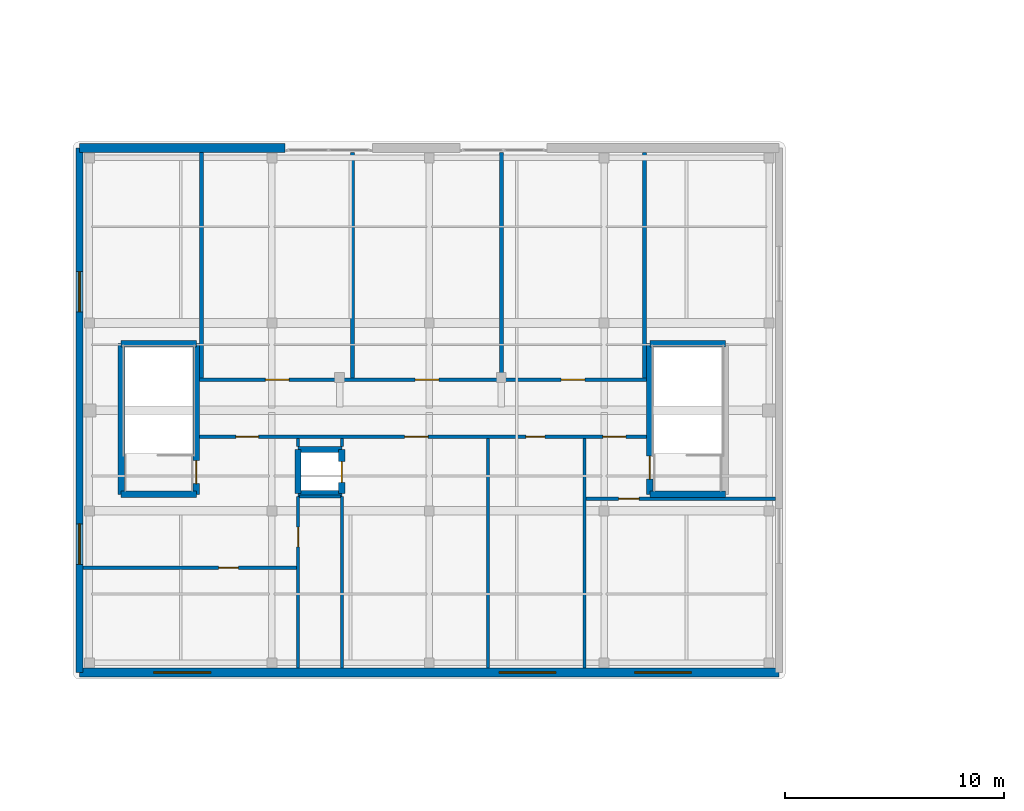
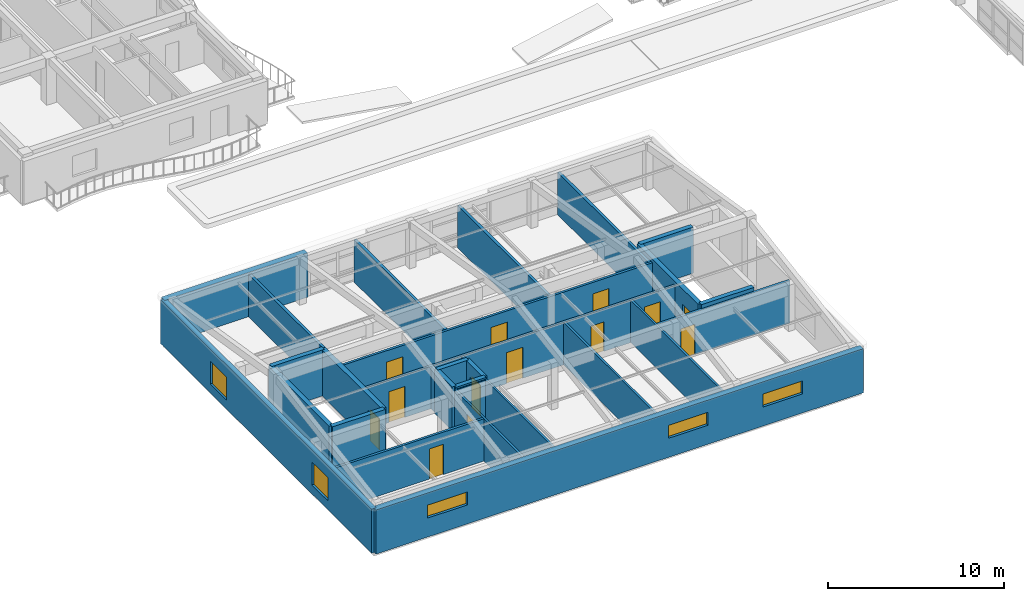
# One storey, part 80 of 128: 29 walls, 13 doors, 5 windows, 18 openings.
"""IFC4 building model written with IfcOpenShell, lengths in metres."""

import ifcopenshell
import ifcopenshell.guid

model = None  # the IFC model being written
_history = None  # IfcOwnerHistory: only IFC2X3 demands one
_inside = {}  # id of a spatial element -> (the spatial element, [elements in it])
_under = {}  # id of a project, library or spatial element -> (it, [spatial elements below it])
_declared = {}  # id of a project -> (the project, [libraries it declares])
_typed = {}  # id of a type object -> (the type object, [elements of that type])
_made_of = {}  # id of a material, layer set ... -> (it, [elements and type objects made of it])


def new_model(schema):
    """Start an empty IFC model of exactly this schema.

    Asked for "IFC4X3", IfcOpenShell would pick the latest addendum, in which some entities
    have other attributes; the version numbers below select the first issue.
    IFC2X3 requires an IfcOwnerHistory on every rooted entity: one is made here for all.
    """
    global model, _history
    if schema == "IFC4X3":
        model = ifcopenshell.file(schema_version=(4, 3, 0, 0))
    else:
        model = ifcopenshell.file(schema=schema)
    _inside.clear()
    _under.clear()
    _declared.clear()
    _typed.clear()
    _made_of.clear()
    _history = None
    if model.schema == "IFC2X3":
        org = make("IfcOrganization", Name="unknown")
        user = make(
            "IfcPersonAndOrganization",
            ThePerson=make("IfcPerson", FamilyName="unknown"),
            TheOrganization=org,
        )
        app = make(
            "IfcApplication",
            ApplicationDeveloper=org,
            Version="unknown",
            ApplicationFullName="unknown",
            ApplicationIdentifier="unknown",
        )
        _history = make(
            "IfcOwnerHistory",
            OwningUser=user,
            OwningApplication=app,
            ChangeAction="ADDED",
            CreationDate=0,
        )
    return model


def make(cls, **values):
    """One entity of the class cls with the attributes given. An attribute that is None is left unset."""
    return model.create_entity(
        cls, **{name: value for name, value in values.items() if value is not None}
    )


def rooted(cls, **values):
    """An entity with a GlobalId (a new one), such as an element, a storey or a relation."""
    return make(cls, GlobalId=ifcopenshell.guid.new(), OwnerHistory=_history, **values)


def si_unit(unit_type, name, prefix=None):
    """IfcSIUnit, for example si_unit("LENGTHUNIT", "METRE", prefix="MILLI")."""
    return make("IfcSIUnit", UnitType=unit_type, Prefix=prefix, Name=name)


def assignment(units):
    """IfcUnitAssignment: the units of a project."""
    return None if units is None else make("IfcUnitAssignment", Units=units)


def point(xyz):
    """IfcCartesianPoint."""
    return None if xyz is None else make("IfcCartesianPoint", Coordinates=xyz)


def direction(xyz):
    """IfcDirection."""
    return None if xyz is None else make("IfcDirection", DirectionRatios=xyz)


def frame(location, z_axis=None, x_axis=None):
    """IfcAxis2Placement3D, a coordinate frame: its origin and axes. An axis left out is left unset."""
    return make(
        "IfcAxis2Placement3D",
        Location=point(location),
        Axis=direction(z_axis),
        RefDirection=direction(x_axis),
    )


def frame_2d(location, x_axis=None):
    """IfcAxis2Placement2D, a coordinate frame in the plane: its origin and x axis."""
    return make(
        "IfcAxis2Placement2D", Location=point(location), RefDirection=direction(x_axis)
    )


def origin():
    """The frame at (0, 0, 0) with its axes left unset."""
    return frame((0.0, 0.0, 0.0))


def place(relative_to, where):
    """IfcLocalPlacement: puts the frame where relative to a parent placement (None: the world)."""
    return make(
        "IfcLocalPlacement", PlacementRelTo=relative_to, RelativePlacement=where
    )


def context(
    kind, dimensions, precision=None, world=None, true_north=None, identifier=None
):
    """IfcGeometricRepresentationContext, for example the 3D "Model" context."""
    return make(
        "IfcGeometricRepresentationContext",
        ContextIdentifier=identifier,
        ContextType=kind,
        CoordinateSpaceDimension=dimensions,
        Precision=precision,
        WorldCoordinateSystem=world,
        TrueNorth=true_north,
    )


def subcontext(parent, identifier, kind, view, scale=None):
    """IfcGeometricRepresentationSubContext, for example "Body" below "Model"."""
    return make(
        "IfcGeometricRepresentationSubContext",
        ContextIdentifier=identifier,
        ContextType=kind,
        ParentContext=parent,
        TargetScale=scale,
        TargetView=view,
    )


def project(units=None, contexts=None):
    """IfcProject with its units and contexts."""
    return rooted(
        "IfcProject",
        Name="project",
        RepresentationContexts=contexts,
        UnitsInContext=assignment(units),
    )


def spatial(cls, under=None, at=None, **own):
    """A site, building, storey or space (cls), placed at a placement, below another one or the project."""
    s = rooted(cls, ObjectPlacement=at, **own)
    if under is not None:
        _under.setdefault(under.id(), (under, []))[1].append(s)
    return s


def profile(cls, at=None, kind="AREA", **sizes):
    """A parametric profile (cls). Its sizes go by their IFC names, for example OverallWidth=200.0."""
    return make(cls, ProfileType=kind, Position=at, **sizes)


def rectangle(**sizes):
    """IfcRectangleProfileDef."""
    return profile("IfcRectangleProfileDef", **sizes)


def extrude(swept, where, along, depth):
    """IfcExtrudedAreaSolid: the profile swept, set in the frame where, extruded along a direction by depth."""
    return make(
        "IfcExtrudedAreaSolid",
        SweptArea=swept,
        Position=where,
        ExtrudedDirection=direction(along),
        Depth=depth,
    )


def shape(context_of_items, identifier, shape_type, items):
    """IfcShapeRepresentation: the items that make up one representation, for example the "Body"."""
    return make(
        "IfcShapeRepresentation",
        ContextOfItems=context_of_items,
        RepresentationIdentifier=identifier,
        RepresentationType=shape_type,
        Items=items,
    )


def material(Name=None, Category=None):
    """IfcMaterial."""
    return make("IfcMaterial", Name=Name, Category=Category)


def layer(
    of_material, thickness, ventilated=None, Name=None, Category=None, Priority=None
):
    """IfcMaterialLayer: one layer of a wall or slab, of a material (None: an air gap)."""
    return make(
        "IfcMaterialLayer",
        Material=of_material,
        LayerThickness=thickness,
        IsVentilated=ventilated,
        Name=Name,
        Category=Category,
        Priority=Priority,
    )


def layer_set(layers, Name=None):
    """IfcMaterialLayerSet."""
    return make("IfcMaterialLayerSet", MaterialLayers=layers, LayerSetName=Name)


def made_of(thing, what):
    """Note that an element or type object is made of a material, layer set ...; save() writes the relation."""
    if what is not None:
        _made_of.setdefault(what.id(), (what, []))[1].append(thing)
    return thing


def type_object(cls, material=None, **own):
    """A type object (cls), such as IfcWallType, which elements share."""
    return made_of(rooted(cls, **own), material)


def element(
    cls,
    number,
    at=None,
    inside=None,
    cuts=None,
    type_object=None,
    material=None,
    context=None,
    identifier="Body",
    shape_type=None,
    held_by="IfcProductDefinitionShape",
    body=None,
    shapes=None,
    **own,
):
    """One element of the class cls, such as IfcWall. Its Tag is "e" and its number.

    at: its placement. inside: the storey or other place that contains it. cuts: it is an
    opening in that element (IfcRelVoidsElement). A single representation is given by context,
    identifier, shape_type and body (its items); several are given by shapes. held_by: the class
    of the entity that holds the representations. save() writes the other relations.
    """
    e = rooted(cls, Tag="e%d" % number, ObjectPlacement=at, **own)
    if body is not None:
        shapes = [shape(context, identifier, shape_type, body)]
    if shapes is not None:
        e.Representation = make(held_by, Representations=shapes)
    if inside is not None:
        _inside.setdefault(inside.id(), (inside, []))[1].append(e)
    if cuts is not None:
        rooted(
            "IfcRelVoidsElement", RelatingBuildingElement=cuts, RelatedOpeningElement=e
        )
    if type_object is not None:
        _typed.setdefault(type_object.id(), (type_object, []))[1].append(e)
    return made_of(e, material)


def fill(opening, filler):
    """IfcRelFillsElement: the door or window that sits in an opening."""
    return rooted(
        "IfcRelFillsElement",
        RelatingOpeningElement=opening,
        RelatedBuildingElement=filler,
    )


def aggregate(whole, parts):
    """IfcRelAggregates: a whole, such as a stair, and the parts it consists of."""
    return rooted("IfcRelAggregates", RelatingObject=whole, RelatedObjects=parts)


def save(model, path):
    """Write the relations noted so far, then the file.

    IfcRelAggregates (storeys below a building ...), IfcRelContainedInSpatialStructure (elements
    in a storey), IfcRelDefinesByType, IfcRelAssociatesMaterial and IfcRelDeclares: one each for
    every whole, place, type object, material and project.
    """
    for whole, parts in _under.values():
        aggregate(whole, parts)
    for where, things in _inside.values():
        rooted(
            "IfcRelContainedInSpatialStructure",
            RelatedElements=things,
            RelatingStructure=where,
        )
    for kind, things in _typed.values():
        rooted("IfcRelDefinesByType", RelatedObjects=things, RelatingType=kind)
    for what, things in _made_of.values():
        rooted("IfcRelAssociatesMaterial", RelatedObjects=things, RelatingMaterial=what)
    for by, libraries in _declared.values():
        rooted("IfcRelDeclares", RelatingContext=by, RelatedDefinitions=libraries)
    model.write(path)


model = new_model("IFC4")

# Units and contexts
model_context = context("Model", 3, precision=1e-05, world=origin(), true_north=direction((0.0, 1.0)))
body_context = subcontext(model_context, "Body", "Model", "MODEL_VIEW")
ifc_project = project(units=[si_unit("LENGTHUNIT", "METRE"), si_unit("AREAUNIT", "SQUARE_METRE"), si_unit("VOLUMEUNIT", "CUBIC_METRE"), si_unit("PLANEANGLEUNIT", "RADIAN"), si_unit("MASSUNIT", "GRAM", prefix="KILO")], contexts=[model_context])

# Site, building, storey
site_placement = place(None, origin())
site = spatial("IfcSite", under=ifc_project, at=site_placement, CompositionType="ELEMENT")
building_placement = place(site_placement, origin())
building = spatial("IfcBuilding", under=site, at=building_placement, Name="Keldmere Railside Commons", CompositionType="ELEMENT")
storey_placement = place(building_placement, frame((0.0, 0.0, 4.159912109375)))
storey = spatial("IfcBuildingStorey", under=building, at=storey_placement, Name="L01", CompositionType="ELEMENT", Elevation=4.159912109375)

# Walls
ifc_material_1 = material(Name="Acoustic Gypsum Board Partition", Category="gypsum")
ifc_layer_1 = layer(ifc_material_1, 0.179931640625, Name="Acoustic Demising Partition 180")
ifc_layer_set_1 = layer_set([ifc_layer_1], Name="Acoustic Gypsum Board Partition")
wall_type_1 = type_object("IfcWallType", Name="Acoustic Demising Partition 180", PredefinedType="PARTITIONING", material=ifc_layer_set_1)
for number, where, z_axis, x_axis, name in (
    (1, (13.590087890625, 29.47998046875, 0.0), (0.0, 0.0, 1.0), (0.0, 1.0, 0.0), "IW-1 IW-L01-0123"),
    (2, (20.5, 29.47998046875, 0.0), (0.0, 0.0, 1.0), (0.0, 1.0, 0.0), "IW-1 IW-L01-0124"),
    (3, (27.300048828125, 29.47998046875, 0.0), (0.0, 0.0, 1.0), (0.0, 1.0, 0.0), "IW-1 IW-L01-0125"),
    (4, (33.860107421875, 29.47998046875, 0.0), (0.0, 0.0, 1.0), (0.0, 1.0, 0.0), "IW-1 IW-L01-0126"),
):
    element("IfcWall", number, at=place(storey_placement, frame(where, z_axis=z_axis, x_axis=x_axis)), inside=storey, type_object=wall_type_1, Name=name, PredefinedType="PARTITIONING", context=body_context, shape_type="SweptSolid", body=[
        extrude(rectangle(XDim=10.320068359375, YDim=0.179931640625, at=frame_2d((5.16015625, 0.0))), origin(), (0.0, 0.0, 1.0), 2.940185546875),
    ])

# Wall, openings, windows
ifc_material_2 = material(Name="Terracotta Brick Masonry", Category="masonry")
ifc_layer_2 = layer(ifc_material_2, 0.39990234375, Name="Civic Brick Cavity Wall 400")
ifc_layer_set_2 = layer_set([ifc_layer_2], Name="Terracotta Brick Masonry")
wall_type_2 = type_object("IfcWallType", Name="Civic Brick Cavity Wall 400", PredefinedType="SOLIDWALL", material=ifc_layer_set_2)
wall_1_placement = place(storey_placement, frame((40.0, 16.0, 0.0), z_axis=(0.0, 0.0, 1.0), x_axis=(-1.0, 0.0, 0.0)))
wall_1 = element("IfcWall", 5, at=wall_1_placement, inside=storey, type_object=wall_type_2, Name="EW-3 NURS-L01-0987", PredefinedType="SOLIDWALL", context=body_context, shape_type="SweptSolid", body=[
    extrude(rectangle(XDim=32.0, YDim=0.39990234375, at=frame_2d((16.0, 0.0))), origin(), (0.0, 0.0, 1.0), 3.06005859375),
])
opening_1_placement = place(wall_1_placement, frame((4.0, 0.0, 1.320068359375)))
opening_1 = element("IfcOpeningElement", 6, at=opening_1_placement, cuts=wall_1, Name="Opening WN-29", PredefinedType="OPENING", context=body_context, shape_type="SweptSolid", body=[
    extrude(rectangle(XDim=2.60009765625, YDim=0.89990234375, at=frame_2d((1.300048828125, 0.449951171875))), frame((0.0, 0.2099609375, 0.0), z_axis=(0.0, -1.0, 0.0), x_axis=(1.0, 0.0, 0.0)), (0.0, 0.0, 1.0), 0.419921875),
])
opening_2_placement = place(wall_1_placement, frame((10.199951171875, 0.0, 1.320068359375)))
opening_2 = element("IfcOpeningElement", 7, at=opening_2_placement, cuts=wall_1, Name="Opening WN-29", PredefinedType="OPENING", context=body_context, shape_type="SweptSolid", body=[
    extrude(rectangle(XDim=2.60009765625, YDim=0.89990234375, at=frame_2d((1.300048828125, 0.449951171875))), frame((0.0, 0.2099609375, 0.0), z_axis=(0.0, -1.0, 0.0), x_axis=(1.0, 0.0, 0.0)), (0.0, 0.0, 1.0), 0.419921875),
])
opening_3_placement = place(wall_1_placement, frame((26.0, 0.0, 1.320068359375)))
opening_3 = element("IfcOpeningElement", 8, at=opening_3_placement, cuts=wall_1, Name="Opening WN-29", PredefinedType="OPENING", context=body_context, shape_type="SweptSolid", body=[
    extrude(rectangle(XDim=2.60009765625, YDim=0.89990234375, at=frame_2d((1.300048828125, 0.449951171875))), frame((0.0, 0.2099609375, 0.0), z_axis=(0.0, -1.0, 0.0), x_axis=(1.0, 0.0, 0.0)), (0.0, 0.0, 1.0), 0.419921875),
])
ifc_material_3 = material(Name="Low-E Insulated Double Glazing", Category="glass")
window_type_1 = type_object("IfcWindowType", Name="Nursery Clerestory North Window 2600x900", PartitioningType="SINGLE_PANEL", PredefinedType="WINDOW", material=ifc_material_3)
window_1_placement = place(opening_1_placement, origin())
window_1 = element("IfcWindow", 9, at=window_1_placement, inside=storey, type_object=window_type_1, Name="WN-29 WIN-L01-0822", OverallHeight=0.89990234375, OverallWidth=2.60009765625, PartitioningType="SINGLE_PANEL", PredefinedType="WINDOW", context=body_context, shape_type="SweptSolid", body=[
    extrude(rectangle(XDim=2.60009765625, YDim=0.89990234375, at=frame_2d((1.300048828125, 0.449951171875))), frame((0.0, 0.030029296875, 0.0), z_axis=(0.0, -1.0, 0.0), x_axis=(1.0, 0.0, 0.0)), (0.0, 0.0, 1.0), 0.06005859375),
])
fill(opening_1, window_1)
window_2_placement = place(opening_2_placement, origin())
window_2 = element("IfcWindow", 10, at=window_2_placement, inside=storey, type_object=window_type_1, Name="WN-29 WIN-L01-0823", OverallHeight=0.89990234375, OverallWidth=2.60009765625, PartitioningType="SINGLE_PANEL", PredefinedType="WINDOW", context=body_context, shape_type="SweptSolid", body=[
    extrude(rectangle(XDim=2.60009765625, YDim=0.89990234375, at=frame_2d((1.300048828125, 0.449951171875))), frame((0.0, 0.030029296875, 0.0), z_axis=(0.0, -1.0, 0.0), x_axis=(1.0, 0.0, 0.0)), (0.0, 0.0, 1.0), 0.06005859375),
])
fill(opening_2, window_2)
window_3_placement = place(opening_3_placement, origin())
window_3 = element("IfcWindow", 11, at=window_3_placement, inside=storey, type_object=window_type_1, Name="WN-29 WIN-L01-0824", OverallHeight=0.89990234375, OverallWidth=2.60009765625, PartitioningType="SINGLE_PANEL", PredefinedType="WINDOW", context=body_context, shape_type="SweptSolid", body=[
    extrude(rectangle(XDim=2.60009765625, YDim=0.89990234375, at=frame_2d((1.300048828125, 0.449951171875))), frame((0.0, 0.030029296875, 0.0), z_axis=(0.0, -1.0, 0.0), x_axis=(1.0, 0.0, 0.0)), (0.0, 0.0, 1.0), 0.06005859375),
])
fill(opening_3, window_3)

# Wall
wall_2_placement = place(storey_placement, frame((8.0, 40.0, 0.0), z_axis=(0.0, 0.0, 1.0), x_axis=(1.0, 0.0, 0.0)))
element("IfcWall", 12, at=wall_2_placement, inside=storey, type_object=wall_type_2, Name="EW-3 NURN-L01-0989", PredefinedType="SOLIDWALL", context=body_context, shape_type="SweptSolid", body=[
    extrude(rectangle(XDim=9.39990234375, YDim=0.39990234375, at=frame_2d((4.699951171875, 0.0))), origin(), (0.0, 0.0, 1.0), 3.06005859375),
])

# Wall, opening, door
ifc_material_4 = material(Name="Concrete H-35 (C35/45)", Category="concrete")
ifc_layer_3 = layer(ifc_material_4, 0.280029296875, Name="Core Shear Wall 280")
ifc_layer_set_3 = layer_set([ifc_layer_3], Name="Concrete H-35 (C35/45)")
wall_type_3 = type_object("IfcWallType", Name="Core Shear Wall 280", PredefinedType="SHEAR", material=ifc_layer_set_3)
wall_3_placement = place(storey_placement, frame((20.0, 24.199951171875, 0.0), z_axis=(0.0, 0.0, 1.0), x_axis=(0.0, 1.0, 0.0)))
wall_3 = element("IfcWall", 13, at=wall_3_placement, inside=storey, type_object=wall_type_3, Name="CSW-2 NLSH-L01-1001", PredefinedType="SHEAR", context=body_context, shape_type="SweptSolid", body=[
    extrude(rectangle(XDim=2.0, YDim=0.280029296875, at=frame_2d((1.0, 0.0))), origin(), (0.0, 0.0, 1.0), 3.06005859375),
])
opening_4_placement = place(wall_3_placement, frame((0.5, 0.0, 0.0)))
opening_4 = element("IfcOpeningElement", 14, at=opening_4_placement, cuts=wall_3, Name="Opening LD-3", PredefinedType="OPENING", context=body_context, shape_type="SweptSolid", body=[
    extrude(rectangle(XDim=0.949951171875, YDim=2.14990234375, at=frame_2d((0.47509765625, 1.074951171875))), frame((0.0, 0.14990234375, 0.0), z_axis=(0.0, -1.0, 0.0), x_axis=(1.0, 0.0, 0.0)), (0.0, 0.0, 1.0), 0.300048828125),
])
ifc_material_5 = material(Name="Steel F-24 (S235)", Category="steel")
door_type_1 = type_object("IfcDoorType", Name="Civic Lift Sliding Landing Door 950x2150", OperationType="SLIDING_TO_LEFT", PredefinedType="DOOR", material=ifc_material_5)
door_1_placement = place(opening_4_placement, origin())
door_1 = element("IfcDoor", 15, at=door_1_placement, inside=storey, type_object=door_type_1, Name="LD-3 PL-N1 L01", OperationType="SLIDING_TO_LEFT", OverallHeight=2.14990234375, OverallWidth=0.949951171875, PredefinedType="DOOR", context=body_context, shape_type="SweptSolid", body=[
    extrude(rectangle(XDim=0.949951171875, YDim=2.14990234375, at=frame_2d((0.47509765625, 1.074951171875))), frame((0.0, 0.02490234375, 0.0), z_axis=(0.0, -1.0, 0.0), x_axis=(1.0, 0.0, 0.0)), (0.0, 0.0, 1.0), 0.050048828125),
])
fill(opening_4, door_1)

# Walls
for number, where, z_axis, x_axis, name in (
    (16, (18.0, 24.199951171875, 0.0), (0.0, 0.0, 1.0), (0.0, 1.0, 0.0), "CSW-2 NLSHB-L01-1002"),
    (17, (18.0, 24.199951171875, 0.0), (0.0, 0.0, 1.0), (1.0, 0.0, 0.0), "CSW-2 NLSHS-L01-1003"),
    (18, (18.0, 26.199951171875, 0.0), (0.0, 0.0, 1.0), (1.0, 0.0, 0.0), "CSW-2 NLSHN-L01-1004"),
):
    element("IfcWall", number, at=place(storey_placement, frame(where, z_axis=z_axis, x_axis=x_axis)), inside=storey, type_object=wall_type_3, Name=name, PredefinedType="SHEAR", context=body_context, shape_type="SweptSolid", body=[
        extrude(rectangle(XDim=2.0, YDim=0.280029296875, at=frame_2d((1.0, 0.0))), origin(), (0.0, 0.0, 1.0), 3.06005859375),
    ])

# Wall, openings, doors
ifc_layer_4 = layer(ifc_material_1, 0.159912109375, Name="Corridor Fire Partition 160")
ifc_layer_set_4 = layer_set([ifc_layer_4], Name="Acoustic Gypsum Board Partition")
wall_type_4 = type_object("IfcWallType", Name="Corridor Fire Partition 160", PredefinedType="PARTITIONING", material=ifc_layer_set_4)
wall_4_placement = place(storey_placement, frame((13.5, 26.800048828125, 0.0), z_axis=(0.0, 0.0, 1.0), x_axis=(1.0, 0.0, 0.0)))
wall_4 = element("IfcWall", 19, at=wall_4_placement, inside=storey, type_object=wall_type_4, Name="IW-2 IW-L01-0115", PredefinedType="PARTITIONING", context=body_context, shape_type="SweptSolid", body=[
    extrude(rectangle(XDim=20.449951171875, YDim=0.159912109375, at=frame_2d((10.22509765625, 0.0))), origin(), (0.0, 0.0, 1.0), 2.940185546875),
])
opening_5_placement = place(wall_4_placement, frame((1.64990234375, 0.0, 0.0)))
opening_5 = element("IfcOpeningElement", 20, at=opening_5_placement, cuts=wall_4, Name="Opening FD-1", PredefinedType="OPENING", context=body_context, shape_type="SweptSolid", body=[
    extrude(rectangle(XDim=1.050048828125, YDim=2.14990234375, at=frame_2d((0.52490234375, 1.074951171875))), frame((0.0, 0.08984375, 0.0), z_axis=(0.0, -1.0, 0.0), x_axis=(1.0, 0.0, 0.0)), (0.0, 0.0, 1.0), 0.179931640625),
])
opening_6_placement = place(wall_4_placement, frame((18.449951171875, 0.0, 0.0)))
opening_6 = element("IfcOpeningElement", 21, at=opening_6_placement, cuts=wall_4, Name="Opening FD-1", PredefinedType="OPENING", context=body_context, shape_type="SweptSolid", body=[
    extrude(rectangle(XDim=1.050048828125, YDim=2.14990234375, at=frame_2d((0.52490234375, 1.074951171875))), frame((0.0, 0.08984375, 0.0), z_axis=(0.0, -1.0, 0.0), x_axis=(1.0, 0.0, 0.0)), (0.0, 0.0, 1.0), 0.179931640625),
])
opening_7_placement = place(wall_4_placement, frame((9.3701171875, 0.0, 0.0)))
opening_7 = element("IfcOpeningElement", 22, at=opening_7_placement, cuts=wall_4, Name="Opening ID-09", PredefinedType="OPENING", context=body_context, shape_type="SweptSolid", body=[
    extrude(rectangle(XDim=1.080078125, YDim=2.14990234375, at=frame_2d((0.5400390625, 1.074951171875))), frame((0.0, 0.08984375, 0.0), z_axis=(0.0, -1.0, 0.0), x_axis=(1.0, 0.0, 0.0)), (0.0, 0.0, 1.0), 0.179931640625),
])
opening_8_placement = place(wall_4_placement, frame((14.919921875, 0.0, 0.0)))
opening_8 = element("IfcOpeningElement", 23, at=opening_8_placement, cuts=wall_4, Name="Opening ID-10", PredefinedType="OPENING", context=body_context, shape_type="SweptSolid", body=[
    extrude(rectangle(XDim=0.8701171875, YDim=2.050048828125, at=frame_2d((0.43505859375, 1.02490234375))), frame((0.0, 0.08984375, 0.0), z_axis=(0.0, -1.0, 0.0), x_axis=(1.0, 0.0, 0.0)), (0.0, 0.0, 1.0), 0.179931640625),
])
ifc_material_6 = material(Name="Engineered Oak Timber", Category="wood")
door_type_2 = type_object("IfcDoorType", Name="Nursery Child Toilet Door 870x2050", OperationType="NOTDEFINED", PredefinedType="DOOR", material=ifc_material_6)
door_2_placement = place(opening_8_placement, origin())
door_2 = element("IfcDoor", 24, at=door_2_placement, inside=storey, type_object=door_type_2, Name="ID-10 IDR-L01-0056", OperationType="SINGLE_SWING_RIGHT", OverallHeight=2.050048828125, OverallWidth=0.8701171875, PredefinedType="DOOR", context=body_context, shape_type="SweptSolid", body=[
    extrude(rectangle(XDim=0.8701171875, YDim=2.050048828125, at=frame_2d((0.43505859375, 1.02490234375))), frame((0.0, 0.02490234375, 0.0), z_axis=(0.0, -1.0, 0.0), x_axis=(1.0, 0.0, 0.0)), (0.0, 0.0, 1.0), 0.050048828125),
])
fill(opening_8, door_2)
door_type_3 = type_object("IfcDoorType", Name="Nursery Playroom Glazed Vision Door 1080x2150", OperationType="NOTDEFINED", PredefinedType="DOOR", material=ifc_material_6)
door_3_placement = place(opening_7_placement, origin())
door_3 = element("IfcDoor", 25, at=door_3_placement, inside=storey, type_object=door_type_3, Name="ID-09 IDR-L01-0055", OperationType="SINGLE_SWING_LEFT", OverallHeight=2.14990234375, OverallWidth=1.080078125, PredefinedType="DOOR", context=body_context, shape_type="SweptSolid", body=[
    extrude(rectangle(XDim=1.080078125, YDim=2.14990234375, at=frame_2d((0.5400390625, 1.074951171875))), frame((0.0, 0.02490234375, 0.0), z_axis=(0.0, -1.0, 0.0), x_axis=(1.0, 0.0, 0.0)), (0.0, 0.0, 1.0), 0.050048828125),
])
fill(opening_7, door_3)
door_type_4 = type_object("IfcDoorType", Name="Stair Core Fire Door 1050x2150", OperationType="NOTDEFINED", PredefinedType="DOOR", material=ifc_material_5)
door_4_placement = place(opening_5_placement, origin())
door_4 = element("IfcDoor", 26, at=door_4_placement, inside=storey, type_object=door_type_4, Name="FD-1 IDR-L01-0047", OperationType="SINGLE_SWING_LEFT", OverallHeight=2.14990234375, OverallWidth=1.050048828125, PredefinedType="DOOR", context=body_context, shape_type="SweptSolid", body=[
    extrude(rectangle(XDim=1.050048828125, YDim=2.14990234375, at=frame_2d((0.52490234375, 1.074951171875))), frame((0.0, 0.02490234375, 0.0), z_axis=(0.0, -1.0, 0.0), x_axis=(1.0, 0.0, 0.0)), (0.0, 0.0, 1.0), 0.050048828125),
])
fill(opening_5, door_4)
door_5_placement = place(opening_6_placement, origin())
door_5 = element("IfcDoor", 27, at=door_5_placement, inside=storey, type_object=door_type_4, Name="FD-1 IDR-L01-0048", OperationType="SINGLE_SWING_RIGHT", OverallHeight=2.14990234375, OverallWidth=1.050048828125, PredefinedType="DOOR", context=body_context, shape_type="SweptSolid", body=[
    extrude(rectangle(XDim=1.050048828125, YDim=2.14990234375, at=frame_2d((0.52490234375, 1.074951171875))), frame((0.0, 0.02490234375, 0.0), z_axis=(0.0, -1.0, 0.0), x_axis=(1.0, 0.0, 0.0)), (0.0, 0.0, 1.0), 0.050048828125),
])
fill(opening_6, door_5)

wall_5_placement = place(storey_placement, frame((13.5, 29.39990234375, 0.0), z_axis=(0.0, 0.0, 1.0), x_axis=(1.0, 0.0, 0.0)))
wall_5 = element("IfcWall", 28, at=wall_5_placement, inside=storey, type_object=wall_type_4, Name="IW-2 IW-L01-0116", PredefinedType="PARTITIONING", context=body_context, shape_type="SweptSolid", body=[
    extrude(rectangle(XDim=20.449951171875, YDim=0.159912109375, at=frame_2d((10.22509765625, 0.0))), origin(), (0.0, 0.0, 1.0), 2.940185546875),
])
opening_9_placement = place(wall_5_placement, frame((3.0048828125, 0.0, 0.0)))
opening_9 = element("IfcOpeningElement", 29, at=opening_9_placement, cuts=wall_5, Name="Opening ID-09", PredefinedType="OPENING", context=body_context, shape_type="SweptSolid", body=[
    extrude(rectangle(XDim=1.080078125, YDim=2.14990234375, at=frame_2d((0.5400390625, 1.074951171875))), frame((0.0, 0.08984375, 0.0), z_axis=(0.0, -1.0, 0.0), x_axis=(1.0, 0.0, 0.0)), (0.0, 0.0, 1.0), 0.179931640625),
])
opening_10_placement = place(wall_5_placement, frame((9.860107421875, 0.0, 0.0)))
opening_10 = element("IfcOpeningElement", 30, at=opening_10_placement, cuts=wall_5, Name="Opening ID-09", PredefinedType="OPENING", context=body_context, shape_type="SweptSolid", body=[
    extrude(rectangle(XDim=1.080078125, YDim=2.14990234375, at=frame_2d((0.5400390625, 1.074951171875))), frame((0.0, 0.08984375, 0.0), z_axis=(0.0, -1.0, 0.0), x_axis=(1.0, 0.0, 0.0)), (0.0, 0.0, 1.0), 0.179931640625),
])
opening_11_placement = place(wall_5_placement, frame((16.5400390625, 0.0, 0.0)))
opening_11 = element("IfcOpeningElement", 31, at=opening_11_placement, cuts=wall_5, Name="Opening ID-09", PredefinedType="OPENING", context=body_context, shape_type="SweptSolid", body=[
    extrude(rectangle(XDim=1.080078125, YDim=2.14990234375, at=frame_2d((0.5400390625, 1.074951171875))), frame((0.0, 0.08984375, 0.0), z_axis=(0.0, -1.0, 0.0), x_axis=(1.0, 0.0, 0.0)), (0.0, 0.0, 1.0), 0.179931640625),
])
door_6_placement = place(opening_9_placement, origin())
door_6 = element("IfcDoor", 32, at=door_6_placement, inside=storey, type_object=door_type_3, Name="ID-09 IDR-L01-0049", OperationType="SINGLE_SWING_LEFT", OverallHeight=2.14990234375, OverallWidth=1.080078125, PredefinedType="DOOR", context=body_context, shape_type="SweptSolid", body=[
    extrude(rectangle(XDim=1.080078125, YDim=2.14990234375, at=frame_2d((0.5400390625, 1.074951171875))), frame((0.0, 0.02490234375, 0.0), z_axis=(0.0, -1.0, 0.0), x_axis=(1.0, 0.0, 0.0)), (0.0, 0.0, 1.0), 0.050048828125),
])
fill(opening_9, door_6)
door_7_placement = place(opening_10_placement, origin())
door_7 = element("IfcDoor", 33, at=door_7_placement, inside=storey, type_object=door_type_3, Name="ID-09 IDR-L01-0050", OperationType="SINGLE_SWING_RIGHT", OverallHeight=2.14990234375, OverallWidth=1.080078125, PredefinedType="DOOR", context=body_context, shape_type="SweptSolid", body=[
    extrude(rectangle(XDim=1.080078125, YDim=2.14990234375, at=frame_2d((0.5400390625, 1.074951171875))), frame((0.0, 0.02490234375, 0.0), z_axis=(0.0, -1.0, 0.0), x_axis=(1.0, 0.0, 0.0)), (0.0, 0.0, 1.0), 0.050048828125),
])
fill(opening_10, door_7)
door_8_placement = place(opening_11_placement, origin())
door_8 = element("IfcDoor", 34, at=door_8_placement, inside=storey, type_object=door_type_3, Name="ID-09 IDR-L01-0051", OperationType="SINGLE_SWING_LEFT", OverallHeight=2.14990234375, OverallWidth=1.080078125, PredefinedType="DOOR", context=body_context, shape_type="SweptSolid", body=[
    extrude(rectangle(XDim=1.080078125, YDim=2.14990234375, at=frame_2d((0.5400390625, 1.074951171875))), frame((0.0, 0.02490234375, 0.0), z_axis=(0.0, -1.0, 0.0), x_axis=(1.0, 0.0, 0.0)), (0.0, 0.0, 1.0), 0.050048828125),
])
fill(opening_11, door_8)

# Wall, opening, door
wall_6_placement = place(storey_placement, frame((8.159912109375, 20.800048828125, 0.0), z_axis=(0.0, 0.0, 1.0), x_axis=(1.0, 0.0, 0.0)))
wall_6 = element("IfcWall", 35, at=wall_6_placement, inside=storey, type_object=wall_type_4, Name="IW-2 IW-L01-0127", PredefinedType="PARTITIONING", context=body_context, shape_type="SweptSolid", body=[
    extrude(rectangle(XDim=9.77001953125, YDim=0.159912109375, at=frame_2d((4.885009765625, 0.0))), origin(), (0.0, 0.0, 1.0), 2.940185546875),
])
opening_12_placement = place(wall_6_placement, frame((6.199951171875, 0.0, 0.0)))
opening_12 = element("IfcOpeningElement", 36, at=opening_12_placement, cuts=wall_6, Name="Opening ID-11", PredefinedType="OPENING", context=body_context, shape_type="SweptSolid", body=[
    extrude(rectangle(XDim=0.909912109375, YDim=2.10009765625, at=frame_2d((0.455078125, 1.050048828125))), frame((0.0, 0.08984375, 0.0), z_axis=(0.0, -1.0, 0.0), x_axis=(1.0, 0.0, 0.0)), (0.0, 0.0, 1.0), 0.179931640625),
])
door_type_5 = type_object("IfcDoorType", Name="Nursery Office & Nursing Door 910x2100", OperationType="NOTDEFINED", PredefinedType="DOOR", material=ifc_material_6)
door_9_placement = place(opening_12_placement, origin())
door_9 = element("IfcDoor", 37, at=door_9_placement, inside=storey, type_object=door_type_5, Name="ID-11 IDR-L01-0052", OperationType="SINGLE_SWING_RIGHT", OverallHeight=2.10009765625, OverallWidth=0.909912109375, PredefinedType="DOOR", context=body_context, shape_type="SweptSolid", body=[
    extrude(rectangle(XDim=0.909912109375, YDim=2.10009765625, at=frame_2d((0.455078125, 1.050048828125))), frame((0.0, 0.02490234375, 0.0), z_axis=(0.0, -1.0, 0.0), x_axis=(1.0, 0.0, 0.0)), (0.0, 0.0, 1.0), 0.050048828125),
])
fill(opening_12, door_9)

wall_7_placement = place(storey_placement, frame((31.169921875, 23.949951171875, 0.0), z_axis=(0.0, 0.0, 1.0), x_axis=(1.0, 0.0, 0.0)))
wall_7 = element("IfcWall", 38, at=wall_7_placement, inside=storey, type_object=wall_type_4, Name="IW-2 IW-L01-0128", PredefinedType="PARTITIONING", context=body_context, shape_type="SweptSolid", body=[
    extrude(rectangle(XDim=8.670166015625, YDim=0.159912109375, at=frame_2d((4.3349609375, 0.0))), origin(), (0.0, 0.0, 1.0), 2.940185546875),
])
opening_13_placement = place(wall_7_placement, frame((1.5, 0.0, 0.0)))
opening_13 = element("IfcOpeningElement", 39, at=opening_13_placement, cuts=wall_7, Name="Opening ID-05", PredefinedType="OPENING", context=body_context, shape_type="SweptSolid", body=[
    extrude(rectangle(XDim=0.93994140625, YDim=2.10009765625, at=frame_2d((0.469970703125, 1.050048828125))), frame((0.0, 0.08984375, 0.0), z_axis=(0.0, -1.0, 0.0), x_axis=(1.0, 0.0, 0.0)), (0.0, 0.0, 1.0), 0.179931640625),
])
door_type_6 = type_object("IfcDoorType", Name="Accessible Bathroom Door 940x2100", OperationType="NOTDEFINED", PredefinedType="DOOR", material=ifc_material_6)
door_10_placement = place(opening_13_placement, origin())
door_10 = element("IfcDoor", 40, at=door_10_placement, inside=storey, type_object=door_type_6, Name="ID-05 IDR-L01-0054", OperationType="SINGLE_SWING_RIGHT", OverallHeight=2.10009765625, OverallWidth=0.93994140625, PredefinedType="DOOR", context=body_context, shape_type="SweptSolid", body=[
    extrude(rectangle(XDim=0.93994140625, YDim=2.10009765625, at=frame_2d((0.469970703125, 1.050048828125))), frame((0.0, 0.02490234375, 0.0), z_axis=(0.0, -1.0, 0.0), x_axis=(1.0, 0.0, 0.0)), (0.0, 0.0, 1.0), 0.050048828125),
])
fill(opening_13, door_10)

# Wall, openings, windows
ifc_layer_5 = layer(ifc_material_4, 0.320068359375, Name="Exterior Shear Wall 320")
ifc_layer_set_5 = layer_set([ifc_layer_5], Name="Concrete H-35 (C35/45)")
wall_type_5 = type_object("IfcWallType", Name="Exterior Shear Wall 320", PredefinedType="SHEAR", material=ifc_layer_set_5)
wall_8_placement = place(storey_placement, frame((8.0, 16.0, 0.0), z_axis=(0.0, 0.0, 1.0), x_axis=(0.0, 1.0, 0.0)))
wall_8 = element("IfcWall", 41, at=wall_8_placement, inside=storey, type_object=wall_type_5, Name="ESW-2 NURW-L01-0988", PredefinedType="SHEAR", context=body_context, shape_type="SweptSolid", body=[
    extrude(rectangle(XDim=24.0, YDim=0.320068359375, at=frame_2d((12.0, 0.0))), origin(), (0.0, 0.0, 1.0), 3.06005859375),
])
opening_14_placement = place(wall_8_placement, frame((4.949951171875, 0.0, 0.6201171875)))
opening_14 = element("IfcOpeningElement", 42, at=opening_14_placement, cuts=wall_8, Name="Opening WN-26", PredefinedType="OPENING", context=body_context, shape_type="SweptSolid", body=[
    extrude(rectangle(XDim=1.85009765625, YDim=1.60009765625, at=frame_2d((0.925048828125, 0.800048828125))), frame((0.0, 0.169921875, 0.0), z_axis=(0.0, -1.0, 0.0), x_axis=(1.0, 0.0, 0.0)), (0.0, 0.0, 1.0), 0.340087890625),
])
opening_15_placement = place(wall_8_placement, frame((16.5, 0.0, 0.6201171875)))
opening_15 = element("IfcOpeningElement", 43, at=opening_15_placement, cuts=wall_8, Name="Opening WN-26", PredefinedType="OPENING", context=body_context, shape_type="SweptSolid", body=[
    extrude(rectangle(XDim=1.85009765625, YDim=1.60009765625, at=frame_2d((0.925048828125, 0.800048828125))), frame((0.0, 0.169921875, 0.0), z_axis=(0.0, -1.0, 0.0), x_axis=(1.0, 0.0, 0.0)), (0.0, 0.0, 1.0), 0.340087890625),
])
window_type_2 = type_object("IfcWindowType", Name="Nursery Infant Room Low-Sill Window 1850x1600", PartitioningType="SINGLE_PANEL", PredefinedType="WINDOW", material=ifc_material_3)
window_4_placement = place(opening_14_placement, origin())
window_4 = element("IfcWindow", 44, at=window_4_placement, inside=storey, type_object=window_type_2, Name="WN-26 WIN-L01-0825", OverallHeight=1.60009765625, OverallWidth=1.85009765625, PartitioningType="SINGLE_PANEL", PredefinedType="WINDOW", context=body_context, shape_type="SweptSolid", body=[
    extrude(rectangle(XDim=1.85009765625, YDim=1.60009765625, at=frame_2d((0.925048828125, 0.800048828125))), frame((0.0, 0.030029296875, 0.0), z_axis=(0.0, -1.0, 0.0), x_axis=(1.0, 0.0, 0.0)), (0.0, 0.0, 1.0), 0.06005859375),
])
fill(opening_14, window_4)
window_5_placement = place(opening_15_placement, origin())
window_5 = element("IfcWindow", 45, at=window_5_placement, inside=storey, type_object=window_type_2, Name="WN-26 WIN-L01-0827", OverallHeight=1.60009765625, OverallWidth=1.85009765625, PartitioningType="SINGLE_PANEL", PredefinedType="WINDOW", context=body_context, shape_type="SweptSolid", body=[
    extrude(rectangle(XDim=1.85009765625, YDim=1.60009765625, at=frame_2d((0.925048828125, 0.800048828125))), frame((0.0, 0.030029296875, 0.0), z_axis=(0.0, -1.0, 0.0), x_axis=(1.0, 0.0, 0.0)), (0.0, 0.0, 1.0), 0.06005859375),
])
fill(opening_15, window_5)

# Wall
ifc_layer_6 = layer(ifc_material_4, 0.300048828125, Name="Interior Shear Wall 300")
ifc_layer_set_6 = layer_set([ifc_layer_6], Name="Concrete H-35 (C35/45)")
wall_type_6 = type_object("IfcWallType", Name="Interior Shear Wall 300", PredefinedType="SHEAR", material=ifc_layer_set_6)
wall_9_placement = place(storey_placement, frame((9.89990234375, 24.14990234375, 0.0), z_axis=(0.0, 0.0, 1.0), x_axis=(1.0, 0.0, 0.0)))
element("IfcWall", 46, at=wall_9_placement, inside=storey, type_object=wall_type_6, Name="ISW-2 WAL-ST-N1-L01-S", PredefinedType="SHEAR", context=body_context, shape_type="SweptSolid", body=[
    extrude(rectangle(XDim=3.4501953125, YDim=0.300048828125, at=frame_2d((1.72509765625, 0.0))), origin(), (0.0, 0.0, 1.0), 3.2001953125),
])

# Wall, opening, door
wall_10_placement = place(storey_placement, frame((13.35009765625, 31.050048828125, 0.0), z_axis=(0.0, 0.0, 1.0), x_axis=(0.0, -1.0, 0.0)))
wall_10 = element("IfcWall", 47, at=wall_10_placement, inside=storey, type_object=wall_type_6, Name="ISW-2 WAL-ST-N1-L01-E", PredefinedType="SHEAR", context=body_context, shape_type="SweptSolid", body=[
    extrude(rectangle(XDim=6.900146484375, YDim=0.300048828125, at=frame_2d((3.4501953125, 0.0))), origin(), (0.0, 0.0, 1.0), 3.2001953125),
])
opening_16_placement = place(wall_10_placement, frame((5.35009765625, 0.0, 0.0)))
opening_16 = element("IfcOpeningElement", 48, at=opening_16_placement, cuts=wall_10, Name="Opening FD-1", PredefinedType="OPENING", context=body_context, shape_type="SweptSolid", body=[
    extrude(rectangle(XDim=1.050048828125, YDim=2.14990234375, at=frame_2d((0.52490234375, 1.074951171875))), frame((0.0, 0.159912109375, 0.0), z_axis=(0.0, -1.0, 0.0), x_axis=(1.0, 0.0, 0.0)), (0.0, 0.0, 1.0), 0.320068359375),
])
door_11_placement = place(opening_16_placement, origin())
door_11 = element("IfcDoor", 49, at=door_11_placement, inside=storey, type_object=door_type_4, Name="FD-1 ST-N1 L01", OperationType="SINGLE_SWING_LEFT", OverallHeight=2.14990234375, OverallWidth=1.050048828125, PredefinedType="DOOR", context=body_context, shape_type="SweptSolid", body=[
    extrude(rectangle(XDim=1.050048828125, YDim=2.14990234375, at=frame_2d((0.52490234375, 1.074951171875))), frame((0.0, 0.02490234375, 0.0), z_axis=(0.0, -1.0, 0.0), x_axis=(1.0, 0.0, 0.0)), (0.0, 0.0, 1.0), 0.050048828125),
])
fill(opening_16, door_11)

# Walls
wall_11_placement = place(storey_placement, frame((9.89990234375, 31.050048828125, 0.0), z_axis=(0.0, 0.0, 1.0), x_axis=(1.0, 0.0, 0.0)))
element("IfcWall", 50, at=wall_11_placement, inside=storey, type_object=wall_type_6, Name="ISW-2 WAL-ST-N1-L01-N", PredefinedType="SHEAR", context=body_context, shape_type="SweptSolid", body=[
    extrude(rectangle(XDim=3.4501953125, YDim=0.300048828125, at=frame_2d((1.72509765625, 0.0))), origin(), (0.0, 0.0, 1.0), 3.2001953125),
])
wall_12_placement = place(storey_placement, frame((9.89990234375, 24.14990234375, 0.0), z_axis=(0.0, 0.0, 1.0), x_axis=(0.0, 1.0, 0.0)))
element("IfcWall", 51, at=wall_12_placement, inside=storey, type_object=wall_type_6, Name="ISW-2 WAL-ST-N1-L01-W", PredefinedType="SHEAR", context=body_context, shape_type="SweptSolid", body=[
    extrude(rectangle(XDim=6.900146484375, YDim=0.300048828125, at=frame_2d((3.4501953125, 0.0))), origin(), (0.0, 0.0, 1.0), 3.2001953125),
])
for number, where, z_axis, x_axis, name in (
    (52, (34.10009765625, 24.14990234375, 0.0), (0.0, 0.0, 1.0), (1.0, 0.0, 0.0), "ISW-2 WAL-ST-N2-L01-S"),
    (53, (34.10009765625, 31.050048828125, 0.0), (0.0, 0.0, 1.0), (1.0, 0.0, 0.0), "ISW-2 WAL-ST-N2-L01-N"),
):
    element("IfcWall", number, at=place(storey_placement, frame(where, z_axis=z_axis, x_axis=x_axis)), inside=storey, type_object=wall_type_6, Name=name, PredefinedType="SHEAR", context=body_context, shape_type="SweptSolid", body=[
        extrude(rectangle(XDim=3.449951171875, YDim=0.300048828125, at=frame_2d((1.72509765625, 0.0))), origin(), (0.0, 0.0, 1.0), 3.2001953125),
    ])

# Wall, opening, door
wall_13_placement = place(storey_placement, frame((34.10009765625, 24.14990234375, 0.0), z_axis=(0.0, 0.0, 1.0), x_axis=(0.0, 1.0, 0.0)))
wall_13 = element("IfcWall", 54, at=wall_13_placement, inside=storey, type_object=wall_type_6, Name="ISW-2 WAL-ST-N2-L01-W", PredefinedType="SHEAR", context=body_context, shape_type="SweptSolid", body=[
    extrude(rectangle(XDim=6.900146484375, YDim=0.300048828125, at=frame_2d((3.4501953125, 0.0))), origin(), (0.0, 0.0, 1.0), 3.2001953125),
])
opening_17_placement = place(wall_13_placement, frame((0.699951171875, 0.0, 0.0)))
opening_17 = element("IfcOpeningElement", 55, at=opening_17_placement, cuts=wall_13, Name="Opening FD-1", PredefinedType="OPENING", context=body_context, shape_type="SweptSolid", body=[
    extrude(rectangle(XDim=1.050048828125, YDim=2.14990234375, at=frame_2d((0.52490234375, 1.074951171875))), frame((0.0, 0.159912109375, 0.0), z_axis=(0.0, -1.0, 0.0), x_axis=(1.0, 0.0, 0.0)), (0.0, 0.0, 1.0), 0.320068359375),
])
door_12_placement = place(opening_17_placement, origin())
door_12 = element("IfcDoor", 56, at=door_12_placement, inside=storey, type_object=door_type_4, Name="FD-1 ST-N2 L01", OperationType="SINGLE_SWING_LEFT", OverallHeight=2.14990234375, OverallWidth=1.050048828125, PredefinedType="DOOR", context=body_context, shape_type="SweptSolid", body=[
    extrude(rectangle(XDim=1.050048828125, YDim=2.14990234375, at=frame_2d((0.52490234375, 1.074951171875))), frame((0.0, 0.02490234375, 0.0), z_axis=(0.0, -1.0, 0.0), x_axis=(1.0, 0.0, 0.0)), (0.0, 0.0, 1.0), 0.050048828125),
])
fill(opening_17, door_12)

ifc_layer_7 = layer(ifc_material_1, 0.139892578125, Name="Wet-Room Sanitary Partition 140")
ifc_layer_set_7 = layer_set([ifc_layer_7], Name="Acoustic Gypsum Board Partition")
wall_type_7 = type_object("IfcWallType", Name="Wet-Room Sanitary Partition 140", PredefinedType="PARTITIONING", material=ifc_layer_set_7)
wall_14_placement = place(storey_placement, frame((18.0, 16.199951171875, 0.0), z_axis=(0.0, 0.0, 1.0), x_axis=(0.0, 1.0, 0.0)))
wall_14 = element("IfcWall", 57, at=wall_14_placement, inside=storey, type_object=wall_type_7, Name="IW-5 IW-L01-0117", PredefinedType="PARTITIONING", context=body_context, shape_type="SweptSolid", body=[
    extrude(rectangle(XDim=7.860107421875, YDim=0.139892578125, at=frame_2d((3.93017578125, 0.0))), origin(), (0.0, 0.0, 1.0), 2.940185546875),
])
opening_18_placement = place(wall_14_placement, frame((5.550048828125, 0.0, 0.0)))
opening_18 = element("IfcOpeningElement", 58, at=opening_18_placement, cuts=wall_14, Name="Opening ID-11", PredefinedType="OPENING", context=body_context, shape_type="SweptSolid", body=[
    extrude(rectangle(XDim=0.909912109375, YDim=2.10009765625, at=frame_2d((0.455078125, 1.050048828125))), frame((0.0, 0.079833984375, 0.0), z_axis=(0.0, -1.0, 0.0), x_axis=(1.0, 0.0, 0.0)), (0.0, 0.0, 1.0), 0.159912109375),
])
door_13_placement = place(opening_18_placement, origin())
door_13 = element("IfcDoor", 59, at=door_13_placement, inside=storey, type_object=door_type_5, Name="ID-11 IDR-L01-0053", OperationType="SINGLE_SWING_LEFT", OverallHeight=2.10009765625, OverallWidth=0.909912109375, PredefinedType="DOOR", context=body_context, shape_type="SweptSolid", body=[
    extrude(rectangle(XDim=0.909912109375, YDim=2.10009765625, at=frame_2d((0.455078125, 1.050048828125))), frame((0.0, 0.02490234375, 0.0), z_axis=(0.0, -1.0, 0.0), x_axis=(1.0, 0.0, 0.0)), (0.0, 0.0, 1.0), 0.050048828125),
])
fill(opening_18, door_13)

# Walls
wall_15_placement = place(storey_placement, frame((18.0, 26.340087890625, 0.0), z_axis=(0.0, 0.0, 1.0), x_axis=(0.0, 1.0, 0.0)))
element("IfcWall", 60, at=wall_15_placement, inside=storey, type_object=wall_type_7, Name="IW-5 IW-L01-0118", PredefinedType="PARTITIONING", context=body_context, shape_type="SweptSolid", body=[
    extrude(rectangle(XDim=0.3798828125, YDim=0.139892578125, at=frame_2d((0.18994140625, 0.0))), origin(), (0.0, 0.0, 1.0), 2.940185546875),
])
wall_16_placement = place(storey_placement, frame((20.0, 16.199951171875, 0.0), z_axis=(0.0, 0.0, 1.0), x_axis=(0.0, 1.0, 0.0)))
element("IfcWall", 61, at=wall_16_placement, inside=storey, type_object=wall_type_7, Name="IW-5 IW-L01-0119", PredefinedType="PARTITIONING", context=body_context, shape_type="SweptSolid", body=[
    extrude(rectangle(XDim=7.860107421875, YDim=0.139892578125, at=frame_2d((3.93017578125, 0.0))), origin(), (0.0, 0.0, 1.0), 2.940185546875),
])
wall_17_placement = place(storey_placement, frame((20.0, 26.340087890625, 0.0), z_axis=(0.0, 0.0, 1.0), x_axis=(0.0, 1.0, 0.0)))
element("IfcWall", 62, at=wall_17_placement, inside=storey, type_object=wall_type_7, Name="IW-5 IW-L01-0120", PredefinedType="PARTITIONING", context=body_context, shape_type="SweptSolid", body=[
    extrude(rectangle(XDim=0.3798828125, YDim=0.139892578125, at=frame_2d((0.18994140625, 0.0))), origin(), (0.0, 0.0, 1.0), 2.940185546875),
])
wall_18_placement = place(storey_placement, frame((31.10009765625, 16.199951171875, 0.0), z_axis=(0.0, 0.0, 1.0), x_axis=(0.0, 1.0, 0.0)))
element("IfcWall", 63, at=wall_18_placement, inside=storey, type_object=wall_type_7, Name="IW-5 IW-L01-0121", PredefinedType="PARTITIONING", context=body_context, shape_type="SweptSolid", body=[
    extrude(rectangle(XDim=10.52001953125, YDim=0.139892578125, at=frame_2d((5.260009765625, 0.0))), origin(), (0.0, 0.0, 1.0), 2.940185546875),
])
wall_19_placement = place(storey_placement, frame((18.070068359375, 24.06005859375, 0.0), z_axis=(0.0, 0.0, 1.0), x_axis=(1.0, 0.0, 0.0)))
element("IfcWall", 64, at=wall_19_placement, inside=storey, type_object=wall_type_7, Name="IW-5 IW-L01-0122", PredefinedType="PARTITIONING", context=body_context, shape_type="SweptSolid", body=[
    extrude(rectangle(XDim=1.85986328125, YDim=0.139892578125, at=frame_2d((0.929931640625, 0.0))), origin(), (0.0, 0.0, 1.0), 2.940185546875),
])
wall_20_placement = place(storey_placement, frame((26.699951171875, 16.199951171875, 0.0), z_axis=(0.0, 0.0, 1.0), x_axis=(0.0, 1.0, 0.0)))
element("IfcWall", 65, at=wall_20_placement, inside=storey, type_object=wall_type_7, Name="IW-5 IW-L01-0129", PredefinedType="PARTITIONING", context=body_context, shape_type="SweptSolid", body=[
    extrude(rectangle(XDim=10.52001953125, YDim=0.139892578125, at=frame_2d((5.260009765625, 0.0))), origin(), (0.0, 0.0, 1.0), 2.940185546875),
])

save(model, "model.ifc")
